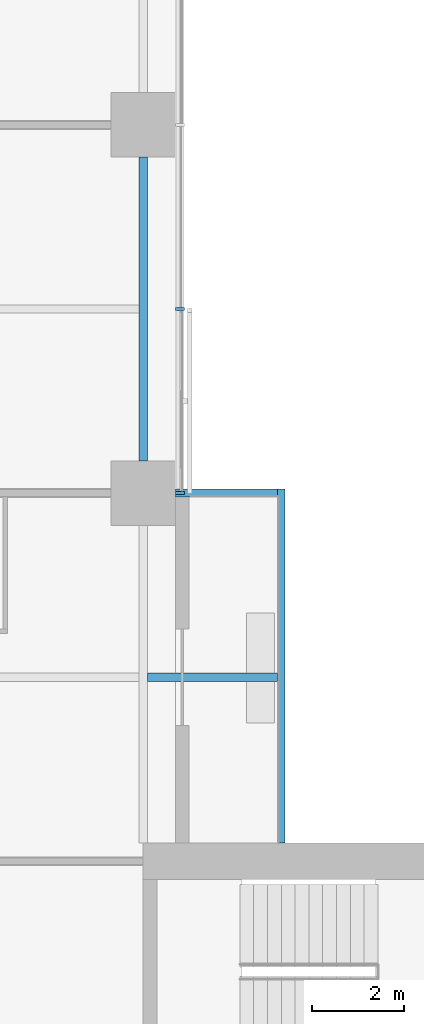
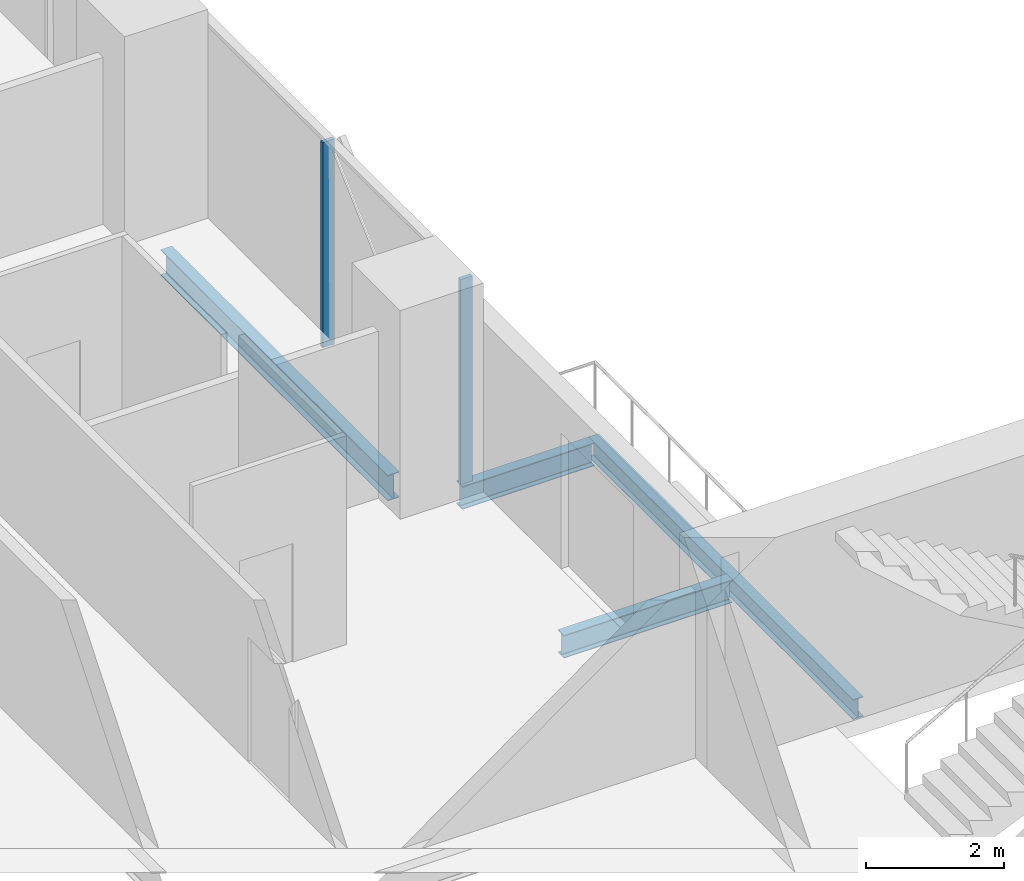
# One storey, part 10 of 27: 4 beams, 2 members, 1 element without a shape of its own.
"""IFC4 building model written with IfcOpenShell, lengths in metres."""

from ifc_helpers import new_model, si_unit, direction, frame, origin, origin_2d, place, context, subcontext, project, spatial, rectangle, i_section, extrude, material, material_profile, profile_set, type_object, element, aggregate, save


model = new_model("IFC4")

# Units and contexts
model_context = context("Model", 3, precision=1e-05, world=origin(), true_north=direction((0.0, 1.0)))
body_context = subcontext(model_context, "Body", "Model", "MODEL_VIEW")
ifc_project = project(units=[si_unit("LENGTHUNIT", "METRE"), si_unit("AREAUNIT", "SQUARE_METRE"), si_unit("VOLUMEUNIT", "CUBIC_METRE"), si_unit("PLANEANGLEUNIT", "RADIAN"), si_unit("MASSUNIT", "GRAM", prefix="KILO")], contexts=[model_context])

# Site, building, storey
site_placement = place(None, origin())
site = spatial("IfcSite", under=ifc_project, at=site_placement, CompositionType="ELEMENT")
building_placement = place(site_placement, origin())
building = spatial("IfcBuilding", under=site, at=building_placement, Name="Crosswind Convention Tower", CompositionType="ELEMENT")
storey_placement = place(building_placement, frame((0.0, 0.0, 90.5)))
storey = spatial("IfcBuildingStorey", under=building, at=storey_placement, Name="L17", CompositionType="ELEMENT", Elevation=90.5)

# Beams
ifc_material_1 = material(Name="Steel S355", Category="steel")
ifc_material_profile_1 = material_profile(ifc_material_1, i_section(OverallWidth=0.177734375, OverallDepth=0.406494140625, WebThickness=0.0078125, FlangeThickness=0.0126953125, FilletRadius=0.01025390625, at=origin_2d()), Name="UB 406x178x60")
ifc_profile_set_1 = profile_set([ifc_material_profile_1], Name="Steel S355")
beam_type_1 = type_object("IfcBeamType", Name="Balcony cantilever UB 406x178x60", PredefinedType="BEAM", material=ifc_profile_set_1)
beam_1_placement = place(storey_placement, frame((137.09521484375, 116.0, -0.483154296875), z_axis=(1.0, 0.0, 0.0), x_axis=(0.0, 1.0, 0.0)))
element("IfcBeam", 1, at=beam_1_placement, inside=storey, type_object=beam_type_1, Name="B35 L17 balcony cantilever NE 1", PredefinedType="BEAM", context=body_context, shape_type="SweptSolid", body=[
    extrude(i_section(OverallWidth=0.177734375, OverallDepth=0.406494140625, WebThickness=0.0078125, FlangeThickness=0.0126953125, FilletRadius=0.01025390625, at=origin_2d()), origin(), (0.0, 0.0, 1.0), 2.8193359375),
])
beam_2_placement = place(storey_placement, frame((137.699951171875, 120.0, -0.483154296875), z_axis=(1.0, 0.0, 0.0), x_axis=(0.0, 1.0, 0.0)))
element("IfcBeam", 2, at=beam_2_placement, inside=storey, type_object=beam_type_1, Name="B35 L17 balcony cantilever NE 2", PredefinedType="BEAM", context=body_context, shape_type="SweptSolid", body=[
    extrude(i_section(OverallWidth=0.177734375, OverallDepth=0.406494140625, WebThickness=0.0078125, FlangeThickness=0.0126953125, FilletRadius=0.01025390625, at=origin_2d()), origin(), (0.0, 0.0, 1.0), 2.214599609375),
])
ifc_material_profile_2 = material_profile(ifc_material_1, i_section(OverallWidth=0.1708984375, OverallDepth=0.35205078125, WebThickness=0.0068359375, FlangeThickness=0.009765625, FilletRadius=0.01025390625, at=origin_2d()), Name="UB 356x171x45")
ifc_profile_set_2 = profile_set([ifc_material_profile_2], Name="Steel S355")
beam_type_2 = type_object("IfcBeamType", Name="Balcony edge beam UB 356x171x45", PredefinedType="BEAM", material=ifc_profile_set_2)
beam_3_placement = place(storey_placement, frame((140.0, 112.39990234375, -0.4560546875), z_axis=(0.0, 1.0, 0.0), x_axis=(-1.0, 0.0, 0.0)))
element("IfcBeam", 3, at=beam_3_placement, inside=storey, type_object=beam_type_2, Name="B37 L17 balcony edge beam NE 3", PredefinedType="BEAM", context=body_context, shape_type="SweptSolid", body=[
    extrude(i_section(OverallWidth=0.1708984375, OverallDepth=0.35205078125, WebThickness=0.0068359375, FlangeThickness=0.009765625, FilletRadius=0.01025390625, at=origin_2d()), origin(), (0.0, 0.0, 1.0), 7.68896484375),
])
ifc_material_profile_3 = material_profile(ifc_material_1, i_section(OverallWidth=0.1904296875, OverallDepth=0.457275390625, WebThickness=0.009033203125, FlangeThickness=0.014404296875, FilletRadius=0.01025390625, at=origin_2d()), Name="UB 457x191x75")
ifc_profile_set_3 = profile_set([ifc_material_profile_3], Name="Steel S355")
beam_type_3 = type_object("IfcBeamType", Name="Edge beam UB 457x191x75", PredefinedType="SPANDREL", material=ifc_profile_set_3)
beam_4_placement = place(storey_placement, frame((137.0, 120.699951171875, -0.508544921875), z_axis=(0.0, 1.0, 0.0), x_axis=(-1.0, 0.0, 0.0)))
element("IfcBeam", 4, at=beam_4_placement, inside=storey, type_object=beam_type_3, Name="B17 L17 edge beam 22", PredefinedType="SPANDREL", context=body_context, shape_type="SweptSolid", body=[
    extrude(i_section(OverallWidth=0.1904296875, OverallDepth=0.457275390625, WebThickness=0.009033203125, FlangeThickness=0.014404296875, FilletRadius=0.01025390625, at=origin_2d()), origin(), (0.0, 0.0, 1.0), 6.60009765625),
])

# Curtain wall, members
ifc_material_2 = material(Name="Aluminium unitised curtain wall", Category="aluminium")
curtain_wall_type = type_object("IfcCurtainWallType", Name="HOTEL UNITISED WALL 200", PredefinedType="USERDEFINED", material=ifc_material_2)
curtain_wall_placement = place(storey_placement, origin())
curtain_wall = element("IfcCurtainWall", 5, at=curtain_wall_placement, inside=storey, type_object=curtain_wall_type, Name="CW2 L17 N-E 1", ObjectType="UNITISED", PredefinedType="USERDEFINED")
ifc_material_3 = material(Name="Aluminium mullion", Category="aluminium")
ifc_material_profile_4 = material_profile(ifc_material_3, rectangle(XDim=0.199951171875, YDim=0.06494140625, at=origin_2d()), Name="AL 200X65")
ifc_profile_set_4 = profile_set([ifc_material_profile_4], Name="Aluminium mullion")
member_type = type_object("IfcMemberType", Name="MULLION 65X200", PredefinedType="MULLION", material=ifc_profile_set_4)
member_1_placement = place(storey_placement, frame((137.800048828125, 120.0, -0.280029296875), z_axis=(0.0, 0.0, 1.0), x_axis=(1.0, 0.0, 0.0)))
member_1 = element("IfcMember", 6, at=member_1_placement, type_object=member_type, Name="CW2 mullion 1", PredefinedType="MULLION", context=body_context, shape_type="SweptSolid", body=[
    extrude(rectangle(XDim=0.199951171875, YDim=0.06494140625, at=origin_2d()), origin(), (0.0, 0.0, 1.0), 3.635009765625),
])
member_2_placement = place(storey_placement, frame((137.800048828125, 124.0, -0.280029296875), z_axis=(0.0, 0.0, 1.0), x_axis=(1.0, 0.0, 0.0)))
member_2 = element("IfcMember", 7, at=member_2_placement, type_object=member_type, Name="CW2 mullion 2", PredefinedType="MULLION", context=body_context, shape_type="SweptSolid", body=[
    extrude(rectangle(XDim=0.199951171875, YDim=0.06494140625, at=origin_2d()), origin(), (0.0, 0.0, 1.0), 3.635009765625),
])
aggregate(curtain_wall, [member_1, member_2])

save(model, "model.ifc")
